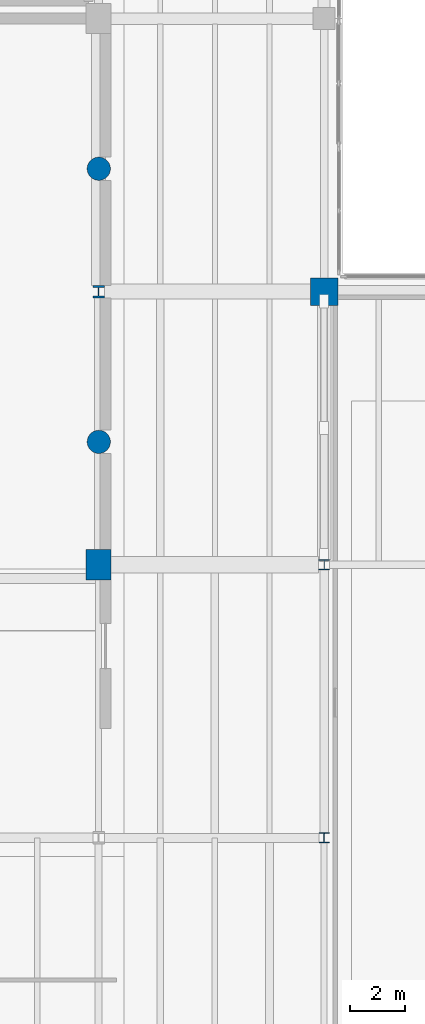
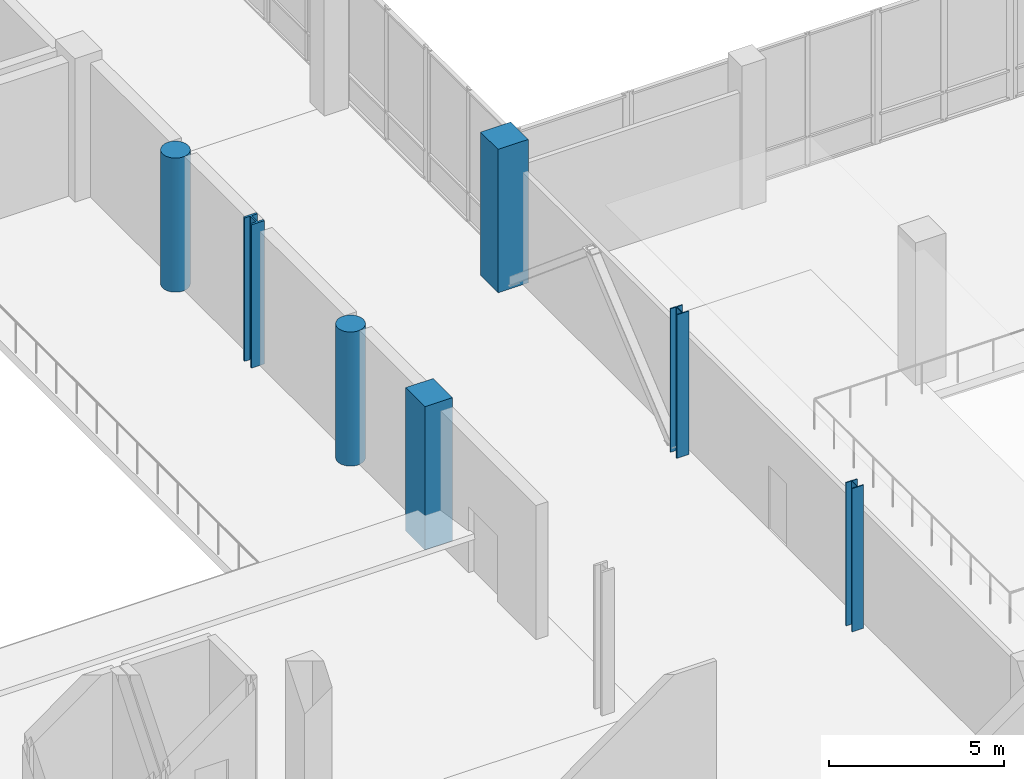
# One storey, part 6 of 81: 7 columns.
"""IFC4 building model written with IfcOpenShell, lengths in metres."""

import ifcopenshell
import ifcopenshell.guid

model = None  # the IFC model being written
_history = None  # IfcOwnerHistory: only IFC2X3 demands one
_inside = {}  # id of a spatial element -> (the spatial element, [elements in it])
_under = {}  # id of a project, library or spatial element -> (it, [spatial elements below it])
_declared = {}  # id of a project -> (the project, [libraries it declares])
_typed = {}  # id of a type object -> (the type object, [elements of that type])
_made_of = {}  # id of a material, layer set ... -> (it, [elements and type objects made of it])


def new_model(schema):
    """Start an empty IFC model of exactly this schema.

    Asked for "IFC4X3", IfcOpenShell would pick the latest addendum, in which some entities
    have other attributes; the version numbers below select the first issue.
    IFC2X3 requires an IfcOwnerHistory on every rooted entity: one is made here for all.
    """
    global model, _history
    if schema == "IFC4X3":
        model = ifcopenshell.file(schema_version=(4, 3, 0, 0))
    else:
        model = ifcopenshell.file(schema=schema)
    _inside.clear()
    _under.clear()
    _declared.clear()
    _typed.clear()
    _made_of.clear()
    _history = None
    if model.schema == "IFC2X3":
        org = make("IfcOrganization", Name="unknown")
        user = make(
            "IfcPersonAndOrganization",
            ThePerson=make("IfcPerson", FamilyName="unknown"),
            TheOrganization=org,
        )
        app = make(
            "IfcApplication",
            ApplicationDeveloper=org,
            Version="unknown",
            ApplicationFullName="unknown",
            ApplicationIdentifier="unknown",
        )
        _history = make(
            "IfcOwnerHistory",
            OwningUser=user,
            OwningApplication=app,
            ChangeAction="ADDED",
            CreationDate=0,
        )
    return model


def make(cls, **values):
    """One entity of the class cls with the attributes given. An attribute that is None is left unset."""
    return model.create_entity(
        cls, **{name: value for name, value in values.items() if value is not None}
    )


def rooted(cls, **values):
    """An entity with a GlobalId (a new one), such as an element, a storey or a relation."""
    return make(cls, GlobalId=ifcopenshell.guid.new(), OwnerHistory=_history, **values)


def si_unit(unit_type, name, prefix=None):
    """IfcSIUnit, for example si_unit("LENGTHUNIT", "METRE", prefix="MILLI")."""
    return make("IfcSIUnit", UnitType=unit_type, Prefix=prefix, Name=name)


def assignment(units):
    """IfcUnitAssignment: the units of a project."""
    return None if units is None else make("IfcUnitAssignment", Units=units)


def point(xyz):
    """IfcCartesianPoint."""
    return None if xyz is None else make("IfcCartesianPoint", Coordinates=xyz)


def direction(xyz):
    """IfcDirection."""
    return None if xyz is None else make("IfcDirection", DirectionRatios=xyz)


def frame(location, z_axis=None, x_axis=None):
    """IfcAxis2Placement3D, a coordinate frame: its origin and axes. An axis left out is left unset."""
    return make(
        "IfcAxis2Placement3D",
        Location=point(location),
        Axis=direction(z_axis),
        RefDirection=direction(x_axis),
    )


def frame_2d(location, x_axis=None):
    """IfcAxis2Placement2D, a coordinate frame in the plane: its origin and x axis."""
    return make(
        "IfcAxis2Placement2D", Location=point(location), RefDirection=direction(x_axis)
    )


def origin():
    """The frame at (0, 0, 0) with its axes left unset."""
    return frame((0.0, 0.0, 0.0))


def origin_2d():
    """The frame at (0, 0) in the plane with its x axis left unset."""
    return frame_2d((0.0, 0.0))


def place(relative_to, where):
    """IfcLocalPlacement: puts the frame where relative to a parent placement (None: the world)."""
    return make(
        "IfcLocalPlacement", PlacementRelTo=relative_to, RelativePlacement=where
    )


def context(
    kind, dimensions, precision=None, world=None, true_north=None, identifier=None
):
    """IfcGeometricRepresentationContext, for example the 3D "Model" context."""
    return make(
        "IfcGeometricRepresentationContext",
        ContextIdentifier=identifier,
        ContextType=kind,
        CoordinateSpaceDimension=dimensions,
        Precision=precision,
        WorldCoordinateSystem=world,
        TrueNorth=true_north,
    )


def subcontext(parent, identifier, kind, view, scale=None):
    """IfcGeometricRepresentationSubContext, for example "Body" below "Model"."""
    return make(
        "IfcGeometricRepresentationSubContext",
        ContextIdentifier=identifier,
        ContextType=kind,
        ParentContext=parent,
        TargetScale=scale,
        TargetView=view,
    )


def project(units=None, contexts=None):
    """IfcProject with its units and contexts."""
    return rooted(
        "IfcProject",
        Name="project",
        RepresentationContexts=contexts,
        UnitsInContext=assignment(units),
    )


def spatial(cls, under=None, at=None, **own):
    """A site, building, storey or space (cls), placed at a placement, below another one or the project."""
    s = rooted(cls, ObjectPlacement=at, **own)
    if under is not None:
        _under.setdefault(under.id(), (under, []))[1].append(s)
    return s


def profile(cls, at=None, kind="AREA", **sizes):
    """A parametric profile (cls). Its sizes go by their IFC names, for example OverallWidth=200.0."""
    return make(cls, ProfileType=kind, Position=at, **sizes)


def rectangle(**sizes):
    """IfcRectangleProfileDef."""
    return profile("IfcRectangleProfileDef", **sizes)


def circle(**sizes):
    """IfcCircleProfileDef."""
    return profile("IfcCircleProfileDef", **sizes)


def i_section(**sizes):
    """IfcIShapeProfileDef."""
    return profile("IfcIShapeProfileDef", **sizes)


def extrude(swept, where, along, depth):
    """IfcExtrudedAreaSolid: the profile swept, set in the frame where, extruded along a direction by depth."""
    return make(
        "IfcExtrudedAreaSolid",
        SweptArea=swept,
        Position=where,
        ExtrudedDirection=direction(along),
        Depth=depth,
    )


def shape(context_of_items, identifier, shape_type, items):
    """IfcShapeRepresentation: the items that make up one representation, for example the "Body"."""
    return make(
        "IfcShapeRepresentation",
        ContextOfItems=context_of_items,
        RepresentationIdentifier=identifier,
        RepresentationType=shape_type,
        Items=items,
    )


def material(Name=None, Category=None):
    """IfcMaterial."""
    return make("IfcMaterial", Name=Name, Category=Category)


def material_profile(
    of_material, cross_section, Name=None, Category=None, Priority=None
):
    """IfcMaterialProfile: a cross section and its material."""
    return make(
        "IfcMaterialProfile",
        Name=Name,
        Material=of_material,
        Profile=cross_section,
        Priority=Priority,
        Category=Category,
    )


def profile_set(profiles, Name=None, composite=None):
    """IfcMaterialProfileSet."""
    return make(
        "IfcMaterialProfileSet",
        Name=Name,
        MaterialProfiles=profiles,
        CompositeProfile=composite,
    )


def made_of(thing, what):
    """Note that an element or type object is made of a material, layer set ...; save() writes the relation."""
    if what is not None:
        _made_of.setdefault(what.id(), (what, []))[1].append(thing)
    return thing


def type_object(cls, material=None, **own):
    """A type object (cls), such as IfcWallType, which elements share."""
    return made_of(rooted(cls, **own), material)


def element(
    cls,
    number,
    at=None,
    inside=None,
    cuts=None,
    type_object=None,
    material=None,
    context=None,
    identifier="Body",
    shape_type=None,
    held_by="IfcProductDefinitionShape",
    body=None,
    shapes=None,
    **own,
):
    """One element of the class cls, such as IfcWall. Its Tag is "e" and its number.

    at: its placement. inside: the storey or other place that contains it. cuts: it is an
    opening in that element (IfcRelVoidsElement). A single representation is given by context,
    identifier, shape_type and body (its items); several are given by shapes. held_by: the class
    of the entity that holds the representations. save() writes the other relations.
    """
    e = rooted(cls, Tag="e%d" % number, ObjectPlacement=at, **own)
    if body is not None:
        shapes = [shape(context, identifier, shape_type, body)]
    if shapes is not None:
        e.Representation = make(held_by, Representations=shapes)
    if inside is not None:
        _inside.setdefault(inside.id(), (inside, []))[1].append(e)
    if cuts is not None:
        rooted(
            "IfcRelVoidsElement", RelatingBuildingElement=cuts, RelatedOpeningElement=e
        )
    if type_object is not None:
        _typed.setdefault(type_object.id(), (type_object, []))[1].append(e)
    return made_of(e, material)


def aggregate(whole, parts):
    """IfcRelAggregates: a whole, such as a stair, and the parts it consists of."""
    return rooted("IfcRelAggregates", RelatingObject=whole, RelatedObjects=parts)


def save(model, path):
    """Write the relations noted so far, then the file.

    IfcRelAggregates (storeys below a building ...), IfcRelContainedInSpatialStructure (elements
    in a storey), IfcRelDefinesByType, IfcRelAssociatesMaterial and IfcRelDeclares: one each for
    every whole, place, type object, material and project.
    """
    for whole, parts in _under.values():
        aggregate(whole, parts)
    for where, things in _inside.values():
        rooted(
            "IfcRelContainedInSpatialStructure",
            RelatedElements=things,
            RelatingStructure=where,
        )
    for kind, things in _typed.values():
        rooted("IfcRelDefinesByType", RelatedObjects=things, RelatingType=kind)
    for what, things in _made_of.values():
        rooted("IfcRelAssociatesMaterial", RelatedObjects=things, RelatingMaterial=what)
    for by, libraries in _declared.values():
        rooted("IfcRelDeclares", RelatingContext=by, RelatedDefinitions=libraries)
    model.write(path)


model = new_model("IFC4")

# Units and contexts
model_context = context("Model", 3, precision=1e-05, world=origin(), true_north=direction((0.0, 1.0)))
body_context = subcontext(model_context, "Body", "Model", "MODEL_VIEW")
ifc_project = project(units=[si_unit("LENGTHUNIT", "METRE"), si_unit("AREAUNIT", "SQUARE_METRE"), si_unit("VOLUMEUNIT", "CUBIC_METRE"), si_unit("PLANEANGLEUNIT", "RADIAN"), si_unit("MASSUNIT", "GRAM", prefix="KILO")], contexts=[model_context])

# Site, building, storey
site_placement = place(None, origin())
site = spatial("IfcSite", under=ifc_project, at=site_placement, CompositionType="ELEMENT")
building_placement = place(site_placement, origin())
building = spatial("IfcBuilding", under=site, at=building_placement, Name="Trimount Lyric Opera House", CompositionType="ELEMENT")
storey_placement = place(building_placement, frame((0.0, 0.0, 5.0)))
storey = spatial("IfcBuildingStorey", under=building, at=storey_placement, Name="L01", CompositionType="ELEMENT", Elevation=5.0)

# Columns
ifc_material_1 = material(Name="Steel ASTM A992 Grade 50", Category="steel")
ifc_material_profile_1 = material_profile(ifc_material_1, i_section(OverallWidth=0.422119140625, OverallDepth=0.465087890625, WebThickness=0.044921875, FlangeThickness=0.072509765625, FilletRadius=0.02001953125, at=origin_2d()), Name="W14X398")
ifc_profile_set_1 = profile_set([ifc_material_profile_1], Name="Steel ASTM A992 Grade 50")
column_type_1 = type_object("IfcColumnType", Name="C-01", PredefinedType="COLUMN", material=ifc_profile_set_1)
column_1_placement = place(storey_placement, frame((113.739990234375, 74.0, 0.0), z_axis=(0.0, 0.0, 1.0), x_axis=(1.0, 0.0, 0.0)))
element("IfcColumn", 1, at=column_1_placement, inside=storey, type_object=column_type_1, Name="L01 column 13/J", PredefinedType="COLUMN", context=body_context, shape_type="SweptSolid", body=[
    extrude(i_section(OverallWidth=0.422119140625, OverallDepth=0.465087890625, WebThickness=0.044921875, FlangeThickness=0.072509765625, FilletRadius=0.02001953125, at=origin_2d()), origin(), (0.0, 0.0, 1.0), 5.0),
])
ifc_material_2 = material(Name="Steel ASTM A992 Grade 50", Category="steel")
ifc_material_profile_2 = material_profile(ifc_material_2, i_section(OverallWidth=0.39892578125, OverallDepth=0.385986328125, WebThickness=0.02099609375, FlangeThickness=0.033203125, FilletRadius=0.01611328125, at=origin_2d()), Name="W14X176")
ifc_profile_set_2 = profile_set([ifc_material_profile_2], Name="Steel ASTM A992 Grade 50")
column_type_2 = type_object("IfcColumnType", Name="C-03", PredefinedType="COLUMN", material=ifc_profile_set_2)
column_2_placement = place(storey_placement, frame((122.0, 64.0, 0.0), z_axis=(0.0, 0.0, 1.0), x_axis=(1.0, 0.0, 0.0)))
element("IfcColumn", 2, at=column_2_placement, inside=storey, type_object=column_type_2, Name="L01 column 14/H", PredefinedType="COLUMN", context=body_context, shape_type="SweptSolid", body=[
    extrude(i_section(OverallWidth=0.39892578125, OverallDepth=0.385986328125, WebThickness=0.02099609375, FlangeThickness=0.033203125, FilletRadius=0.01611328125, at=origin_2d()), origin(), (0.0, 0.0, 1.0), 5.0),
])
ifc_material_3 = material(Name="Steel ASTM A992 Grade 50", Category="steel")
ifc_material_profile_3 = material_profile(ifc_material_3, i_section(OverallWidth=0.373046875, OverallDepth=0.367919921875, WebThickness=0.014892578125, FlangeThickness=0.02392578125, FilletRadius=0.014892578125, at=origin_2d()), Name="W14X120")
ifc_profile_set_3 = profile_set([ifc_material_profile_3], Name="Steel ASTM A992 Grade 50")
column_type_3 = type_object("IfcColumnType", Name="C-08", PredefinedType="COLUMN", material=ifc_profile_set_3)
column_3_placement = place(storey_placement, frame((122.0, 54.0, 0.0), z_axis=(0.0, 0.0, 1.0), x_axis=(1.0, 0.0, 0.0)))
element("IfcColumn", 3, at=column_3_placement, inside=storey, type_object=column_type_3, Name="L01 column 14/G", PredefinedType="COLUMN", context=body_context, shape_type="SweptSolid", body=[
    extrude(i_section(OverallWidth=0.373046875, OverallDepth=0.367919921875, WebThickness=0.014892578125, FlangeThickness=0.02392578125, FilletRadius=0.014892578125, at=origin_2d()), origin(), (0.0, 0.0, 1.0), 5.0),
])
ifc_material_4 = material(Name="Concrete C50/60", Category="concrete")
ifc_material_profile_4 = material_profile(ifc_material_4, rectangle(XDim=0.89990234375, YDim=1.10009765625, at=origin_2d()), Name="RC1100X900")
ifc_profile_set_4 = profile_set([ifc_material_profile_4], Name="Concrete C50/60")
column_type_4 = type_object("IfcColumnType", Name="C-11", PredefinedType="COLUMN", material=ifc_profile_set_4)
column_4_placement = place(storey_placement, frame((113.739990234375, 64.0, 0.0), z_axis=(0.0, 0.0, 1.0), x_axis=(1.0, 0.0, 0.0)))
element("IfcColumn", 4, at=column_4_placement, inside=storey, type_object=column_type_4, Name="L01 column 13/H", PredefinedType="COLUMN", context=body_context, shape_type="SweptSolid", body=[
    extrude(rectangle(XDim=0.89990234375, YDim=1.10009765625, at=origin_2d()), origin(), (0.0, 0.0, 1.0), 5.0),
])
ifc_material_5 = material(Name="Concrete C50/60", Category="concrete")
ifc_material_profile_5 = material_profile(ifc_material_5, rectangle(XDim=1.0, YDim=1.0, at=origin_2d()), Name="RC1000X1000")
ifc_profile_set_5 = profile_set([ifc_material_profile_5], Name="Concrete C50/60")
column_type_5 = type_object("IfcColumnType", Name="C-12", PredefinedType="COLUMN", material=ifc_profile_set_5)
column_5_placement = place(storey_placement, frame((122.0, 74.0, 0.0), z_axis=(0.0, 0.0, 1.0), x_axis=(1.0, 0.0, 0.0)))
element("IfcColumn", 5, at=column_5_placement, inside=storey, type_object=column_type_5, Name="L01 column 14/J", PredefinedType="COLUMN", context=body_context, shape_type="SweptSolid", body=[
    extrude(rectangle(XDim=1.0, YDim=1.0, at=origin_2d()), origin(), (0.0, 0.0, 1.0), 5.0),
])
ifc_material_6 = material(Name="Concrete C50/60", Category="concrete")
ifc_material_profile_6 = material_profile(ifc_material_6, circle(Radius=0.425048828125, at=origin_2d()), Name="RC-D850")
ifc_profile_set_6 = profile_set([ifc_material_profile_6], Name="Concrete C50/60")
column_type_6 = type_object("IfcColumnType", Name="CP-02", PredefinedType="PILASTER", material=ifc_profile_set_6)
for number, where, z_axis, x_axis, name in (
    (6, (113.75, 68.5, 0.0), (0.0, 0.0, 1.0), (1.0, 0.0, 0.0), "L01 acoustic shell pilaster E1"),
    (7, (113.75, 78.5, 0.0), (0.0, 0.0, 1.0), (1.0, 0.0, 0.0), "L01 acoustic shell pilaster E2"),
):
    element("IfcColumn", number, at=place(storey_placement, frame(where, z_axis=z_axis, x_axis=x_axis)), inside=storey, type_object=column_type_6, Name=name, PredefinedType="PILASTER", context=body_context, shape_type="SweptSolid", body=[
        extrude(circle(Radius=0.425048828125, at=origin_2d()), origin(), (0.0, 0.0, 1.0), 4.675048828125),
    ])

save(model, "model.ifc")
